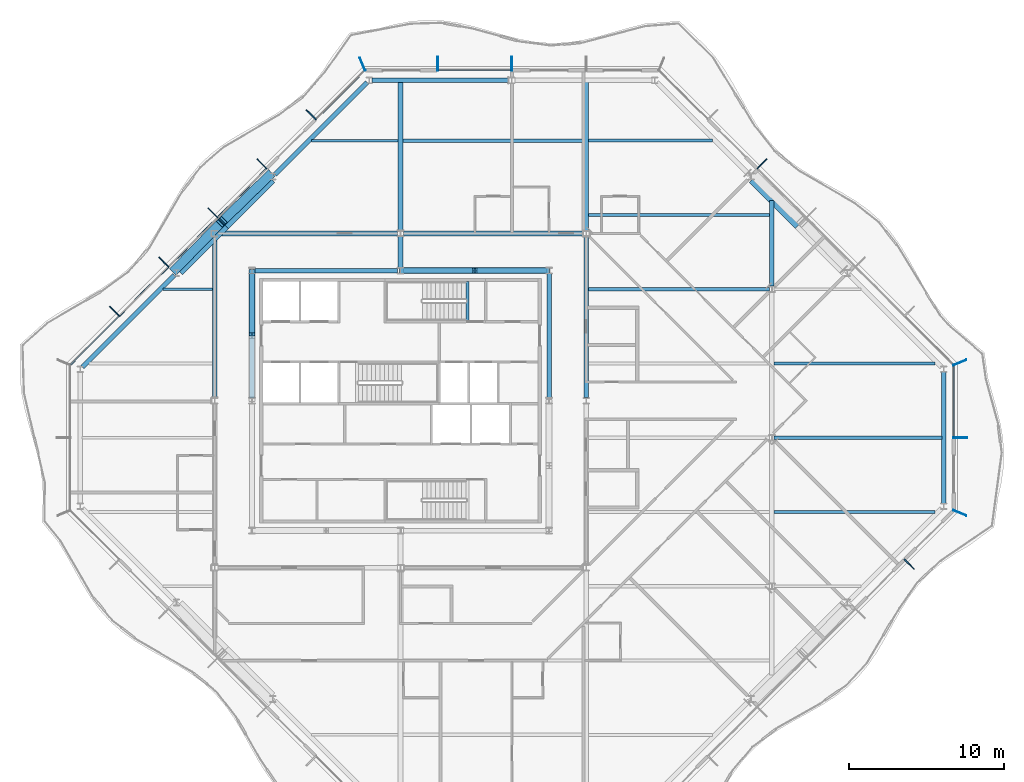
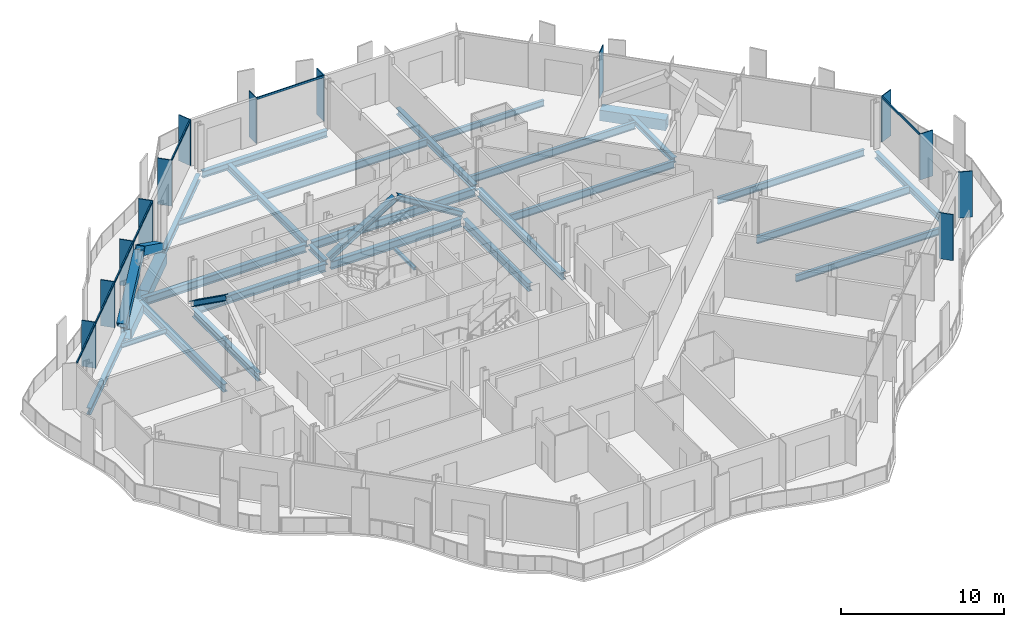
# One storey, part 4 of 17: 29 beams, 25 members, 5 elements without a shape of their own.
"""IFC4 building model written with IfcOpenShell, lengths in metres."""

from ifc_helpers import new_model, si_unit, direction, frame, origin, origin_2d, place, context, subcontext, project, spatial, rectangle, hollow_rectangle, i_section, extrude, material, material_profile, profile_set, type_object, element, aggregate, save


model = new_model("IFC4")

# Units and contexts
model_context = context("Model", 3, precision=1e-05, world=origin(), true_north=direction((0.0, 1.0)))
body_context = subcontext(model_context, "Body", "Model", "MODEL_VIEW")
ifc_project = project(units=[si_unit("LENGTHUNIT", "METRE"), si_unit("AREAUNIT", "SQUARE_METRE"), si_unit("VOLUMEUNIT", "CUBIC_METRE"), si_unit("PLANEANGLEUNIT", "RADIAN"), si_unit("MASSUNIT", "GRAM", prefix="KILO")], contexts=[model_context])

# Site, building, storey
site_placement = place(None, origin())
site = spatial("IfcSite", under=ifc_project, at=site_placement, CompositionType="ELEMENT")
building_placement = place(site_placement, origin())
building = spatial("IfcBuilding", under=site, at=building_placement, Name="Cairn Pilgrim Tower", CompositionType="ELEMENT")
storey_placement = place(building_placement, frame((0.0, 0.0, 225.0)))
storey = spatial("IfcBuildingStorey", under=building, at=storey_placement, Name="L57", CompositionType="ELEMENT", Elevation=225.0)

# Members
ifc_material_1 = material(Name="Structural steel S460M", Category="steel")
ifc_material_profile_1 = material_profile(ifc_material_1, hollow_rectangle(XDim=0.60009765625, YDim=0.60009765625, WallThickness=0.034912109375, at=origin_2d()), Name="BOX 600x600x35")
ifc_profile_set_1 = profile_set([ifc_material_profile_1], Name="Structural steel S460M")
member_type_1 = type_object("IfcMemberType", Name="BOX 600x600x35 BRACE", PredefinedType="BRACE", material=ifc_profile_set_1)
member_1_placement = place(storey_placement, frame((-1.22412109375, 17.00146484375, 0.14990234375), z_axis=(-0.609963251675, -0.594780866166, 0.523622528973), x_axis=(0.698140268834, -0.71596100804, 0.0)))
element("IfcMember", 1, at=member_1_placement, inside=storey, type_object=member_type_1, Name="XB-NW2-NW3-1", PredefinedType="BRACE", context=body_context, shape_type="SweptSolid", body=[
    extrude(hollow_rectangle(XDim=0.60009765625, YDim=0.60009765625, WallThickness=0.034912109375, at=origin_2d()), origin(), (0.0, 0.0, 1.0), 5.033203125),
])
member_2_placement = place(storey_placement, frame((-7.4013671875, 10.823974609375, 0.14990234375), z_axis=(0.59476326853, 0.609993709431, 0.523607036681), x_axis=(-0.715988756584, 0.698111810848, 0.0)))
element("IfcMember", 2, at=member_2_placement, inside=storey, type_object=member_type_1, Name="XB-NW2-NW3-2", PredefinedType="BRACE", context=body_context, shape_type="SweptSolid", body=[
    extrude(hollow_rectangle(XDim=0.60009765625, YDim=0.60009765625, WallThickness=0.034912109375, at=origin_2d()), origin(), (0.0, 0.0, 1.0), 5.033447265625),
])

# Beams
ifc_material_2 = material(Name="Structural steel S355J2", Category="steel")
ifc_material_profile_2 = material_profile(ifc_material_2, hollow_rectangle(XDim=0.699951171875, YDim=0.800048828125, WallThickness=0.0400390625, at=origin_2d()), Name="BOX 700x800x40")
ifc_profile_set_2 = profile_set([ifc_material_profile_2], Name="Structural steel S355J2")
beam_type_1 = type_object("IfcBeamType", Name="BOX 700x800x40 RING GIRDER", PredefinedType="SPANDREL", material=ifc_profile_set_2)
for number, where, z_axis, x_axis, name in (
    (3, (32.963623046875, 13.763671875, -0.550048828125), (-0.707106781187, 0.707106781187, 0.0), (-0.707106781187, -0.707106781187, 0.0), "RG3-NE2-NE3-2"),
    (4, (-1.183837890625, 16.743408203125, -0.550048828125), (-0.707106781187, -0.707106781187, 0.0), (0.707106781187, -0.707106781187, 0.0), "RG3-NW2-NW3-1"),
):
    element("IfcBeam", number, at=place(storey_placement, frame(where, z_axis=z_axis, x_axis=x_axis)), inside=storey, type_object=beam_type_1, Name=name, PredefinedType="SPANDREL", context=body_context, shape_type="SweptSolid", body=[
        extrude(hollow_rectangle(XDim=0.699951171875, YDim=0.800048828125, WallThickness=0.0400390625, at=origin_2d()), origin(), (0.0, 0.0, 1.0), 4.2138671875),
    ])
beam_1_placement = place(storey_placement, frame((-4.16357421875, 13.763671875, -0.550048828125), z_axis=(-0.707077813866, -0.707135747321, 0.0), x_axis=(0.707135747321, -0.707077813866, 0.0)))
element("IfcBeam", 5, at=beam_1_placement, inside=storey, type_object=beam_type_1, Name="RG3-NW2-NW3-2", PredefinedType="SPANDREL", context=body_context, shape_type="SweptSolid", body=[
    extrude(hollow_rectangle(XDim=0.699951171875, YDim=0.800048828125, WallThickness=0.0400390625, at=origin_2d()), origin(), (0.0, 0.0, 1.0), 4.214111328125),
])

# Curtain wall, member
ifc_material_3 = material(Name="Aluminium alloy 6063-T6 bronze anodised with Bronze tinted laminated low-E glass 8+16+8.8", Category="aluminium")
curtain_wall_type_1 = type_object("IfcCurtainWallType", Name="CHAMFER CORNER CURTAIN WALL", PredefinedType="NOTDEFINED", material=ifc_material_3)
curtain_wall_1_placement = place(storey_placement, origin())
curtain_wall_1 = element("IfcCurtainWall", 6, at=curtain_wall_1_placement, inside=storey, type_object=curtain_wall_type_1, Name="Chamfer Corner Curtain Wall SE", PredefinedType="NOTDEFINED")
ifc_material_4 = material(Name="Aluminium alloy 6063-T6 bronze anodised", Category="aluminium")
ifc_material_profile_3 = material_profile(ifc_material_4, rectangle(XDim=0.89990234375, YDim=0.06005859375, at=origin_2d()), Name="FIN MULLION 60x900 BRONZE")
ifc_profile_set_3 = profile_set([ifc_material_profile_3], Name="Aluminium alloy 6063-T6 bronze anodised")
member_type_2 = type_object("IfcMemberType", Name="FIN MULLION 60x900 BRONZE", PredefinedType="MULLION", material=ifc_profile_set_3)
member_3_placement = place(storey_placement, frame((40.0712890625, -8.1689453125, 0.0), z_axis=(0.0, 0.0, 1.0), x_axis=(0.707106781187, -0.707106781187, 0.0)))
member_3 = element("IfcMember", 7, at=member_3_placement, type_object=member_type_2, Name="Fin mullion SE6", PredefinedType="MULLION", context=body_context, shape_type="SweptSolid", body=[
    extrude(rectangle(XDim=0.89990234375, YDim=0.06005859375, at=origin_2d()), origin(), (0.0, 0.0, 1.0), 3.449951171875),
])
aggregate(curtain_wall_1, [member_3])

# Curtain wall, members
curtain_wall_type_2 = type_object("IfcCurtainWallType", Name="TOWER STICK CURTAIN WALL EW", PredefinedType="NOTDEFINED", material=ifc_material_3)
curtain_wall_2_placement = place(storey_placement, origin())
curtain_wall_2 = element("IfcCurtainWall", 8, at=curtain_wall_2_placement, inside=storey, type_object=curtain_wall_type_2, Name="Tower Stick Curtain Wall Ew E", PredefinedType="NOTDEFINED")
member_4_placement = place(storey_placement, frame((43.338134765625, -4.857177734375, 0.0), z_axis=(0.0, 0.0, 1.0), x_axis=(0.923879532511, -0.382683432365, 0.0)))
member_4 = element("IfcMember", 9, at=member_4_placement, type_object=member_type_2, Name="Fin mullion E1", PredefinedType="MULLION", context=body_context, shape_type="SweptSolid", body=[
    extrude(rectangle(XDim=0.89990234375, YDim=0.06005859375, at=origin_2d()), origin(), (0.0, 0.0, 1.0), 3.449951171875),
])
member_5_placement = place(storey_placement, frame((43.3701171875, 0.0, 0.0), z_axis=(0.0, 0.0, 1.0), x_axis=(1.0, 0.0, 0.0)))
member_5 = element("IfcMember", 10, at=member_5_placement, type_object=member_type_2, Name="Fin mullion E2", PredefinedType="MULLION", context=body_context, shape_type="SweptSolid", body=[
    extrude(rectangle(XDim=0.89990234375, YDim=0.06005859375, at=origin_2d()), origin(), (0.0, 0.0, 1.0), 3.449951171875),
])

curtain_wall_3_placement = place(storey_placement, origin())
curtain_wall_3 = element("IfcCurtainWall", 11, at=curtain_wall_3_placement, inside=storey, type_object=curtain_wall_type_1, Name="Chamfer Corner Curtain Wall NE", PredefinedType="NOTDEFINED")
member_6_placement = place(storey_placement, frame((43.338134765625, 4.857177734375, 0.0), z_axis=(0.0, 0.0, 1.0), x_axis=(0.923879532511, 0.382683432365, 0.0)))
member_6 = element("IfcMember", 12, at=member_6_placement, type_object=member_type_2, Name="Fin mullion NE1", PredefinedType="MULLION", context=body_context, shape_type="SweptSolid", body=[
    extrude(rectangle(XDim=0.89990234375, YDim=0.06005859375, at=origin_2d()), origin(), (0.0, 0.0, 1.0), 3.449951171875),
])
member_7_placement = place(storey_placement, frame((30.544677734375, 17.69580078125, 0.0), z_axis=(0.0, 0.0, 1.0), x_axis=(0.707106781187, 0.707106781187, 0.0)))
member_7 = element("IfcMember", 13, at=member_7_placement, type_object=member_type_2, Name="Fin mullion NE5", PredefinedType="MULLION", context=body_context, shape_type="SweptSolid", body=[
    extrude(rectangle(XDim=0.89990234375, YDim=0.06005859375, at=origin_2d()), origin(), (0.0, 0.0, 1.0), 3.449951171875),
])
aggregate(curtain_wall_3, [member_6, member_7])

curtain_wall_type_3 = type_object("IfcCurtainWallType", Name="TOWER STICK CURTAIN WALL NS", PredefinedType="NOTDEFINED", material=ifc_material_3)
curtain_wall_4_placement = place(storey_placement, origin())
curtain_wall_4 = element("IfcCurtainWall", 14, at=curtain_wall_4_placement, inside=storey, type_object=curtain_wall_type_3, Name="Tower Stick Curtain Wall Ns N", PredefinedType="NOTDEFINED")
member_8_placement = place(storey_placement, frame((14.39990234375, 24.169921875, 0.0), z_axis=(0.0, 0.0, 1.0), x_axis=(0.0, 1.0, 0.0)))
member_8 = element("IfcMember", 15, at=member_8_placement, type_object=member_type_2, Name="Fin mullion N3", PredefinedType="MULLION", context=body_context, shape_type="SweptSolid", body=[
    extrude(rectangle(XDim=0.89990234375, YDim=0.06005859375, at=origin_2d()), origin(), (0.0, 0.0, 1.0), 3.449951171875),
])
member_9_placement = place(storey_placement, frame((9.60009765625, 24.169921875, 0.0), z_axis=(0.0, 0.0, 1.0), x_axis=(0.0, 1.0, 0.0)))
member_9 = element("IfcMember", 16, at=member_9_placement, type_object=member_type_2, Name="Fin mullion N4", PredefinedType="MULLION", context=body_context, shape_type="SweptSolid", body=[
    extrude(rectangle(XDim=0.89990234375, YDim=0.06005859375, at=origin_2d()), origin(), (0.0, 0.0, 1.0), 3.449951171875),
])

curtain_wall_5_placement = place(storey_placement, origin())
curtain_wall_5 = element("IfcCurtainWall", 17, at=curtain_wall_5_placement, inside=storey, type_object=curtain_wall_type_1, Name="Chamfer Corner Curtain Wall NW", PredefinedType="NOTDEFINED")
member_10_placement = place(storey_placement, frame((4.742919921875, 24.137939453125, 0.0), z_axis=(0.0, 0.0, 1.0), x_axis=(-0.382683432365, 0.923879532511, 0.0)))
member_10 = element("IfcMember", 18, at=member_10_placement, type_object=member_type_2, Name="Fin mullion NW1", PredefinedType="MULLION", context=body_context, shape_type="SweptSolid", body=[
    extrude(rectangle(XDim=0.89990234375, YDim=0.06005859375, at=origin_2d()), origin(), (0.0, 0.0, 1.0), 3.449951171875),
])
member_11_placement = place(storey_placement, frame((1.430908203125, 20.871337890625, 0.0), z_axis=(0.0, 0.0, 1.0), x_axis=(-0.707106781187, 0.707106781187, 0.0)))
member_11 = element("IfcMember", 19, at=member_11_placement, type_object=member_type_2, Name="Fin mullion NW2", PredefinedType="MULLION", context=body_context, shape_type="SweptSolid", body=[
    extrude(rectangle(XDim=0.89990234375, YDim=0.06005859375, at=origin_2d()), origin(), (0.0, 0.0, 1.0), 3.449951171875),
])
member_12_placement = place(storey_placement, frame((-1.74462890625, 17.69580078125, 0.0), z_axis=(0.0, 0.0, 1.0), x_axis=(-0.707106781187, 0.707106781187, 0.0)))
member_12 = element("IfcMember", 20, at=member_12_placement, type_object=member_type_2, Name="Fin mullion NW3", PredefinedType="MULLION", context=body_context, shape_type="SweptSolid", body=[
    extrude(rectangle(XDim=0.89990234375, YDim=0.06005859375, at=origin_2d()), origin(), (0.0, 0.0, 1.0), 3.449951171875),
])
member_13_placement = place(storey_placement, frame((-4.920166015625, 14.520263671875, 0.0), z_axis=(0.0, 0.0, 1.0), x_axis=(-0.707106781187, 0.707106781187, 0.0)))
member_13 = element("IfcMember", 21, at=member_13_placement, type_object=member_type_2, Name="Fin mullion NW4", PredefinedType="MULLION", context=body_context, shape_type="SweptSolid", body=[
    extrude(rectangle(XDim=0.89990234375, YDim=0.06005859375, at=origin_2d()), origin(), (0.0, 0.0, 1.0), 3.449951171875),
])
member_14_placement = place(storey_placement, frame((-8.095703125, 11.3447265625, 0.0), z_axis=(0.0, 0.0, 1.0), x_axis=(-0.707106781187, 0.707106781187, 0.0)))
member_14 = element("IfcMember", 22, at=member_14_placement, type_object=member_type_2, Name="Fin mullion NW5", PredefinedType="MULLION", context=body_context, shape_type="SweptSolid", body=[
    extrude(rectangle(XDim=0.89990234375, YDim=0.06005859375, at=origin_2d()), origin(), (0.0, 0.0, 1.0), 3.449951171875),
])
member_15_placement = place(storey_placement, frame((-11.271484375, 8.1689453125, 0.0), z_axis=(0.0, 0.0, 1.0), x_axis=(-0.707106781187, 0.707106781187, 0.0)))
member_15 = element("IfcMember", 23, at=member_15_placement, type_object=member_type_2, Name="Fin mullion NW6", PredefinedType="MULLION", context=body_context, shape_type="SweptSolid", body=[
    extrude(rectangle(XDim=0.89990234375, YDim=0.06005859375, at=origin_2d()), origin(), (0.0, 0.0, 1.0), 3.449951171875),
])

# Members
ifc_material_profile_4 = material_profile(ifc_material_2, i_section(OverallWidth=0.39794921875, OverallDepth=0.386962890625, WebThickness=0.02099609375, FlangeThickness=0.033203125, FilletRadius=0.014892578125, at=origin_2d()), Name="HD 400x262")
ifc_profile_set_4 = profile_set([ifc_material_profile_4], Name="Structural steel S355J2")
member_type_3 = type_object("IfcMemberType", Name="HD 400x262 BRACE", PredefinedType="BRACE", material=ifc_profile_set_4)
for number, where, z_axis, x_axis, name in (
    (24, (16.759521484375, 10.800048828125, 0.10009765625), (-0.851180404412, 0.0, 0.524873241025), (0.0, -1.0, 0.0), "KB-3A"),
    (25, (7.240478515625, 10.800048828125, 0.10009765625), (0.851180404412, 0.0, 0.524873241025), (0.0, 1.0, 0.0), "KB-3B"),
):
    element("IfcMember", number, at=place(storey_placement, frame(where, z_axis=z_axis, x_axis=x_axis)), inside=storey, type_object=member_type_3, Name=name, PredefinedType="BRACE", context=body_context, shape_type="SweptSolid", body=[
        extrude(i_section(OverallWidth=0.39794921875, OverallDepth=0.386962890625, WebThickness=0.02099609375, FlangeThickness=0.033203125, FilletRadius=0.014892578125, at=origin_2d()), origin(), (0.0, 0.0, 1.0), 5.529052734375),
    ])
member_16_placement = place(storey_placement, frame((-2.39990234375, 10.759521484375, 0.10009765625), z_axis=(0.0, -0.814412678688, 0.580286126659), x_axis=(1.0, 0.0, 0.0)))
element("IfcMember", 26, at=member_16_placement, inside=storey, type_object=member_type_3, Name="KB-4A", PredefinedType="BRACE", context=body_context, shape_type="SweptSolid", body=[
    extrude(i_section(OverallWidth=0.39794921875, OverallDepth=0.386962890625, WebThickness=0.02099609375, FlangeThickness=0.033203125, FilletRadius=0.014892578125, at=origin_2d()), origin(), (0.0, 0.0, 1.0), 4.9990234375),
])

# Beams
ifc_material_profile_5 = material_profile(ifc_material_2, i_section(OverallWidth=0.300048828125, OverallDepth=0.39990234375, WebThickness=0.013427734375, FlangeThickness=0.02392578125, FilletRadius=0.027099609375, at=origin_2d()), Name="HEB 400")
ifc_profile_set_5 = profile_set([ifc_material_profile_5], Name="Structural steel S355J2")
beam_type_2 = type_object("IfcBeamType", Name="HEB 400 GIRDER", PredefinedType="BEAM", material=ifc_profile_set_5)
beam_2_placement = place(storey_placement, frame((7.199951171875, 11.001953125, -0.35009765625), z_axis=(0.0, 1.0, 0.0), x_axis=(-1.0, 0.0, 0.0)))
element("IfcBeam", 27, at=beam_2_placement, inside=storey, type_object=beam_type_2, Name="PG3-E2", PredefinedType="BEAM", context=body_context, shape_type="SweptSolid", body=[
    extrude(i_section(OverallWidth=0.300048828125, OverallDepth=0.39990234375, WebThickness=0.013427734375, FlangeThickness=0.02392578125, FilletRadius=0.027099609375, at=origin_2d()), origin(), (0.0, 0.0, 1.0), 1.99853515625),
])
beam_3_placement = place(storey_placement, frame((31.199951171875, 9.799560546875, -0.35009765625), z_axis=(0.0, 1.0, 0.0), x_axis=(-1.0, 0.0, 0.0)))
element("IfcBeam", 28, at=beam_3_placement, inside=storey, type_object=beam_type_2, Name="PG5-4", PredefinedType="BEAM", context=body_context, shape_type="SweptSolid", body=[
    extrude(i_section(OverallWidth=0.300048828125, OverallDepth=0.39990234375, WebThickness=0.013427734375, FlangeThickness=0.02392578125, FilletRadius=0.027099609375, at=origin_2d()), origin(), (0.0, 0.0, 1.0), 5.545654296875),
])
ifc_material_profile_6 = material_profile(ifc_material_2, i_section(OverallWidth=0.300048828125, OverallDepth=0.5, WebThickness=0.014404296875, FlangeThickness=0.028076171875, FilletRadius=0.027099609375, at=origin_2d()), Name="HEB 500")
ifc_profile_set_6 = profile_set([ifc_material_profile_6], Name="Structural steel S355J2")
beam_type_3 = type_object("IfcBeamType", Name="HEB 500 GIRDER", PredefinedType="BEAM", material=ifc_profile_set_6)
for number, where, z_axis, x_axis, name in (
    (29, (7.199951171875, 13.3994140625, -0.39990234375), (0.0, 1.0, 0.0), (-1.0, 0.0, 0.0), "PG3-2"),
    (30, (19.199951171875, 13.3994140625, -0.39990234375), (0.0, 1.0, 0.0), (-1.0, 0.0, 0.0), "PG4-4"),
):
    element("IfcBeam", number, at=place(storey_placement, frame(where, z_axis=z_axis, x_axis=x_axis)), inside=storey, type_object=beam_type_3, Name=name, PredefinedType="BEAM", context=body_context, shape_type="SweptSolid", body=[
        extrude(i_section(OverallWidth=0.300048828125, OverallDepth=0.5, WebThickness=0.014404296875, FlangeThickness=0.028076171875, FilletRadius=0.027099609375, at=origin_2d()), origin(), (0.0, 0.0, 1.0), 9.58056640625),
    ])
ifc_material_profile_7 = material_profile(ifc_material_2, i_section(OverallWidth=0.300048828125, OverallDepth=0.5, WebThickness=0.014404296875, FlangeThickness=0.028076171875, FilletRadius=0.027099609375, at=origin_2d()), Name="HEB 500")
ifc_profile_set_7 = profile_set([ifc_material_profile_7], Name="Structural steel S355J2")
beam_type_4 = type_object("IfcBeamType", Name="HEB 500 RING GIRDER", PredefinedType="SPANDREL", material=ifc_profile_set_7)
beam_4_placement = place(storey_placement, frame((42.300048828125, -4.239990234375, -0.39990234375), z_axis=(0.0, 1.0, 0.0), x_axis=(-1.0, 0.0, 0.0)))
element("IfcBeam", 31, at=beam_4_placement, inside=storey, type_object=beam_type_4, Name="RG3-E1-NE1", PredefinedType="SPANDREL", context=body_context, shape_type="SweptSolid", body=[
    extrude(i_section(OverallWidth=0.300048828125, OverallDepth=0.5, WebThickness=0.014404296875, FlangeThickness=0.028076171875, FilletRadius=0.027099609375, at=origin_2d()), origin(), (0.0, 0.0, 1.0), 8.47998046875),
])
beam_5_placement = place(storey_placement, frame((14.212890625, 23.10009765625, -0.39990234375), z_axis=(-1.0, 0.0, 0.0), x_axis=(0.0, -1.0, 0.0)))
element("IfcBeam", 32, at=beam_5_placement, inside=storey, type_object=beam_type_4, Name="RG3-N2-NW1", PredefinedType="SPANDREL", context=body_context, shape_type="SweptSolid", body=[
    extrude(i_section(OverallWidth=0.300048828125, OverallDepth=0.5, WebThickness=0.014404296875, FlangeThickness=0.028076171875, FilletRadius=0.027099609375, at=origin_2d()), origin(), (0.0, 0.0, 1.0), 8.852783203125),
])
for number, where, z_axis, x_axis, name in (
    (33, (5.040283203125, 22.967529296875, -0.39990234375), (-0.707106781187, -0.707106781187, 0.0), (0.707106781187, -0.707106781187, 0.0), "RG3-NW1-NW2"),
    (34, (-7.408203125, 10.51904296875, -0.39990234375), (-0.707106781187, -0.707106781187, 0.0), (0.707106781187, -0.707106781187, 0.0), "RG3-NW3-W1"),
):
    element("IfcBeam", number, at=place(storey_placement, frame(where, z_axis=z_axis, x_axis=x_axis)), inside=storey, type_object=beam_type_4, Name=name, PredefinedType="SPANDREL", context=body_context, shape_type="SweptSolid", body=[
        extrude(i_section(OverallWidth=0.300048828125, OverallDepth=0.5, WebThickness=0.014404296875, FlangeThickness=0.028076171875, FilletRadius=0.027099609375, at=origin_2d()), origin(), (0.0, 0.0, 1.0), 8.427978515625),
    ])
ifc_material_profile_8 = material_profile(ifc_material_2, i_section(OverallWidth=0.300048828125, OverallDepth=0.60009765625, WebThickness=0.015380859375, FlangeThickness=0.030029296875, FilletRadius=0.027099609375, at=origin_2d()), Name="HEB 600")
ifc_profile_set_8 = profile_set([ifc_material_profile_8], Name="Structural steel S355J2")
beam_type_5 = type_object("IfcBeamType", Name="HEB 600 CORE BEAM", PredefinedType="BEAM", material=ifc_profile_set_8)
beam_6_placement = place(storey_placement, frame((16.800048828125, 2.581787109375, -0.449951171875), z_axis=(0.0, 1.0, 0.0), x_axis=(-1.0, 0.0, 0.0)))
element("IfcBeam", 35, at=beam_6_placement, inside=storey, type_object=beam_type_5, Name="CB-4", PredefinedType="BEAM", context=body_context, shape_type="SweptSolid", body=[
    extrude(i_section(OverallWidth=0.300048828125, OverallDepth=0.60009765625, WebThickness=0.015380859375, FlangeThickness=0.030029296875, FilletRadius=0.027099609375, at=origin_2d()), origin(), (0.0, 0.0, 1.0), 8.036376953125),
])
beam_7_placement = place(storey_placement, frame((16.6181640625, 10.800048828125, -0.449951171875), z_axis=(-1.0, 0.0, 0.0), x_axis=(0.0, -1.0, 0.0)))
element("IfcBeam", 36, at=beam_7_placement, inside=storey, type_object=beam_type_5, Name="CB-5", PredefinedType="BEAM", context=body_context, shape_type="SweptSolid", body=[
    extrude(i_section(OverallWidth=0.300048828125, OverallDepth=0.60009765625, WebThickness=0.015380859375, FlangeThickness=0.030029296875, FilletRadius=0.027099609375, at=origin_2d()), origin(), (0.0, 0.0, 1.0), 9.236328125),
])
beam_8_placement = place(storey_placement, frame((7.018310546875, 10.800048828125, -0.449951171875), z_axis=(-1.0, 0.0, 0.0), x_axis=(0.0, -1.0, 0.0)))
element("IfcBeam", 37, at=beam_8_placement, inside=storey, type_object=beam_type_5, Name="CB-6", PredefinedType="BEAM", context=body_context, shape_type="SweptSolid", body=[
    extrude(i_section(OverallWidth=0.300048828125, OverallDepth=0.60009765625, WebThickness=0.015380859375, FlangeThickness=0.030029296875, FilletRadius=0.027099609375, at=origin_2d()), origin(), (0.0, 0.0, 1.0), 9.236572265625),
])
beam_9_placement = place(storey_placement, frame((-2.39990234375, 10.6181640625, -0.449951171875), z_axis=(0.0, -1.0, 0.0), x_axis=(1.0, 0.0, 0.0)))
element("IfcBeam", 38, at=beam_9_placement, inside=storey, type_object=beam_type_5, Name="CB-7", PredefinedType="BEAM", context=body_context, shape_type="SweptSolid", body=[
    extrude(i_section(OverallWidth=0.300048828125, OverallDepth=0.60009765625, WebThickness=0.015380859375, FlangeThickness=0.030029296875, FilletRadius=0.027099609375, at=origin_2d()), origin(), (0.0, 0.0, 1.0), 8.036376953125),
])
ifc_material_profile_9 = material_profile(ifc_material_2, i_section(OverallWidth=0.300048828125, OverallDepth=0.60009765625, WebThickness=0.015380859375, FlangeThickness=0.030029296875, FilletRadius=0.027099609375, at=origin_2d()), Name="HEB 600")
ifc_profile_set_9 = profile_set([ifc_material_profile_9], Name="Structural steel S355J2")
beam_type_6 = type_object("IfcBeamType", Name="HEB 600 GIRDER", PredefinedType="BEAM", material=ifc_profile_set_9)
beam_10_placement = place(storey_placement, frame((-4.800048828125, 2.599609375, -0.449951171875), z_axis=(0.0, 1.0, 0.0), x_axis=(-1.0, 0.0, 0.0)))
element("IfcBeam", 39, at=beam_10_placement, inside=storey, type_object=beam_type_6, Name="PG2-3", PredefinedType="BEAM", context=body_context, shape_type="SweptSolid", body=[
    extrude(i_section(OverallWidth=0.300048828125, OverallDepth=0.60009765625, WebThickness=0.015380859375, FlangeThickness=0.030029296875, FilletRadius=0.027099609375, at=origin_2d()), origin(), (0.0, 0.0, 1.0), 10.345458984375),
])
beam_11_placement = place(storey_placement, frame((19.199951171875, 2.599609375, -0.449951171875), z_axis=(0.0, 1.0, 0.0), x_axis=(-1.0, 0.0, 0.0)))
element("IfcBeam", 40, at=beam_11_placement, inside=storey, type_object=beam_type_6, Name="PG4-3", PredefinedType="BEAM", context=body_context, shape_type="SweptSolid", body=[
    extrude(i_section(OverallWidth=0.300048828125, OverallDepth=0.60009765625, WebThickness=0.015380859375, FlangeThickness=0.030029296875, FilletRadius=0.027099609375, at=origin_2d()), origin(), (0.0, 0.0, 1.0), 10.40087890625),
])
ifc_material_profile_10 = material_profile(ifc_material_2, i_section(OverallWidth=0.300048828125, OverallDepth=0.60009765625, WebThickness=0.015380859375, FlangeThickness=0.030029296875, FilletRadius=0.027099609375, at=origin_2d()), Name="HEB 600")
ifc_profile_set_10 = profile_set([ifc_material_profile_10], Name="Structural steel S355J2")
beam_type_7 = type_object("IfcBeamType", Name="HEB 600 INNER GIRDER", PredefinedType="BEAM", material=ifc_profile_set_10)
for number, where, z_axis, x_axis, name in (
    (41, (-4.6005859375, 13.199951171875, -0.449951171875), (1.0, 0.0, 0.0), (0.0, 1.0, 0.0), "IG2-1"),
    (42, (7.3994140625, 13.199951171875, -0.449951171875), (1.0, 0.0, 0.0), (0.0, 1.0, 0.0), "IG2-2"),
):
    element("IfcBeam", number, at=place(storey_placement, frame(where, z_axis=z_axis, x_axis=x_axis)), inside=storey, type_object=beam_type_7, Name=name, PredefinedType="BEAM", context=body_context, shape_type="SweptSolid", body=[
        extrude(i_section(OverallWidth=0.300048828125, OverallDepth=0.60009765625, WebThickness=0.015380859375, FlangeThickness=0.030029296875, FilletRadius=0.027099609375, at=origin_2d()), origin(), (0.0, 0.0, 1.0), 11.60107421875),
    ])
ifc_material_profile_11 = material_profile(ifc_material_2, i_section(OverallWidth=0.169921875, OverallDepth=0.360107421875, WebThickness=0.008056640625, FlangeThickness=0.0126953125, FilletRadius=0.01806640625, at=origin_2d()), Name="IPE 360")
ifc_profile_set_11 = profile_set([ifc_material_profile_11], Name="Structural steel S355J2")
beam_type_8 = type_object("IfcBeamType", Name="IPE 360 SECONDARY BEAM", PredefinedType="JOIST", material=ifc_profile_set_11)
beam_12_placement = place(storey_placement, frame((-8.14501953125, 9.60009765625, -0.330078125), z_axis=(1.0, 0.0, 0.0), x_axis=(0.0, 1.0, 0.0)))
element("IfcBeam", 43, at=beam_12_placement, inside=storey, type_object=beam_type_8, Name="SB7-1", PredefinedType="JOIST", context=body_context, shape_type="SweptSolid", body=[
    extrude(i_section(OverallWidth=0.169921875, OverallDepth=0.360107421875, WebThickness=0.008056640625, FlangeThickness=0.0126953125, FilletRadius=0.01806640625, at=origin_2d()), origin(), (0.0, 0.0, 1.0), 3.195068359375),
])
beam_13_placement = place(storey_placement, frame((1.454833984375, 19.199951171875, -0.330078125), z_axis=(1.0, 0.0, 0.0), x_axis=(0.0, 1.0, 0.0)))
element("IfcBeam", 44, at=beam_13_placement, inside=storey, type_object=beam_type_8, Name="SB9-1", PredefinedType="JOIST", context=body_context, shape_type="SweptSolid", body=[
    extrude(i_section(OverallWidth=0.169921875, OverallDepth=0.360107421875, WebThickness=0.008056640625, FlangeThickness=0.0126953125, FilletRadius=0.01806640625, at=origin_2d()), origin(), (0.0, 0.0, 1.0), 5.59521484375),
])
ifc_material_profile_12 = material_profile(ifc_material_2, i_section(OverallWidth=0.18994140625, OverallDepth=0.449951171875, WebThickness=0.009521484375, FlangeThickness=0.0146484375, FilletRadius=0.02099609375, at=origin_2d()), Name="IPE 450")
ifc_profile_set_12 = profile_set([ifc_material_profile_12], Name="Structural steel S355J2")
beam_type_9 = type_object("IfcBeamType", Name="IPE 450 SECONDARY BEAM", PredefinedType="JOIST", material=ifc_profile_set_12)
beam_14_placement = place(storey_placement, frame((19.35009765625, 19.199951171875, -0.375), z_axis=(1.0, 0.0, 0.0), x_axis=(0.0, 1.0, 0.0)))
element("IfcBeam", 45, at=beam_14_placement, inside=storey, type_object=beam_type_9, Name="SB9-3", PredefinedType="JOIST", context=body_context, shape_type="SweptSolid", body=[
    extrude(i_section(OverallWidth=0.18994140625, OverallDepth=0.449951171875, WebThickness=0.009521484375, FlangeThickness=0.0146484375, FilletRadius=0.02099609375, at=origin_2d()), origin(), (0.0, 0.0, 1.0), 7.9951171875),
])
ifc_material_profile_13 = material_profile(ifc_material_2, i_section(OverallWidth=0.199951171875, OverallDepth=0.5, WebThickness=0.01025390625, FlangeThickness=0.01611328125, FilletRadius=0.02099609375, at=origin_2d()), Name="IPE 500")
ifc_profile_set_13 = profile_set([ifc_material_profile_13], Name="Structural steel S355J2")
beam_type_10 = type_object("IfcBeamType", Name="IPE 500 SECONDARY BEAM", PredefinedType="JOIST", material=ifc_profile_set_13)
for number, where, z_axis, x_axis, name in (
    (46, (31.35009765625, -4.800048828125, -0.39990234375), (1.0, 0.0, 0.0), (0.0, 1.0, 0.0), "SB4-3"),
    (47, (31.35009765625, 4.800048828125, -0.39990234375), (1.0, 0.0, 0.0), (0.0, 1.0, 0.0), "SB6-3"),
):
    element("IfcBeam", number, at=place(storey_placement, frame(where, z_axis=z_axis, x_axis=x_axis)), inside=storey, type_object=beam_type_10, Name=name, PredefinedType="JOIST", context=body_context, shape_type="SweptSolid", body=[
        extrude(i_section(OverallWidth=0.199951171875, OverallDepth=0.5, WebThickness=0.01025390625, FlangeThickness=0.01611328125, FilletRadius=0.02099609375, at=origin_2d()), origin(), (0.0, 0.0, 1.0), 10.39501953125),
    ])
ifc_material_profile_14 = material_profile(ifc_material_2, i_section(OverallWidth=0.2099609375, OverallDepth=0.550048828125, WebThickness=0.010986328125, FlangeThickness=0.01708984375, FilletRadius=0.02392578125, at=origin_2d()), Name="IPE 550")
ifc_profile_set_14 = profile_set([ifc_material_profile_14], Name="Structural steel S355J2")
beam_type_11 = type_object("IfcBeamType", Name="IPE 550 SECONDARY BEAM", PredefinedType="JOIST", material=ifc_profile_set_14)
beam_15_placement = place(storey_placement, frame((31.35009765625, 0.0, -0.425048828125), z_axis=(1.0, 0.0, 0.0), x_axis=(0.0, 1.0, 0.0)))
element("IfcBeam", 48, at=beam_15_placement, inside=storey, type_object=beam_type_11, Name="SB5-3", PredefinedType="JOIST", context=body_context, shape_type="SweptSolid", body=[
    extrude(i_section(OverallWidth=0.2099609375, OverallDepth=0.550048828125, WebThickness=0.010986328125, FlangeThickness=0.01708984375, FilletRadius=0.02392578125, at=origin_2d()), origin(), (0.0, 0.0, 1.0), 10.829833984375),
])
for number, where, z_axis, x_axis, name in (
    (49, (19.35009765625, 9.60009765625, -0.425048828125), (1.0, 0.0, 0.0), (0.0, 1.0, 0.0), "SB7-2"),
    (50, (19.35009765625, 14.39990234375, -0.425048828125), (1.0, 0.0, 0.0), (0.0, 1.0, 0.0), "SB8-1"),
    (51, (7.35009765625, 19.199951171875, -0.425048828125), (1.0, 0.0, 0.0), (0.0, 1.0, 0.0), "SB9-2"),
):
    element("IfcBeam", number, at=place(storey_placement, frame(where, z_axis=z_axis, x_axis=x_axis)), inside=storey, type_object=beam_type_11, Name=name, PredefinedType="JOIST", context=body_context, shape_type="SweptSolid", body=[
        extrude(i_section(OverallWidth=0.2099609375, OverallDepth=0.550048828125, WebThickness=0.010986328125, FlangeThickness=0.01708984375, FilletRadius=0.02392578125, at=origin_2d()), origin(), (0.0, 0.0, 1.0), 11.699951171875),
    ])
ifc_material_profile_15 = material_profile(ifc_material_2, i_section(OverallWidth=0.199951171875, OverallDepth=0.199951171875, WebThickness=0.009033203125, FlangeThickness=0.014892578125, FilletRadius=0.01806640625, at=origin_2d()), Name="HE 200 B")
ifc_profile_set_15 = profile_set([ifc_material_profile_15], Name="Structural steel S355J2")
beam_type_12 = type_object("IfcBeamType", Name="STAIR LANDING BEAM HE 200 B", PredefinedType="BEAM", material=ifc_profile_set_15)
beam_16_placement = place(storey_placement, frame((11.5244140625, 10.10009765625, -0.25), z_axis=(0.0, -1.0, 0.0), x_axis=(1.0, 0.0, 0.0)))
element("IfcBeam", 52, at=beam_16_placement, inside=storey, type_object=beam_type_12, Name="STAIR LANDING BEAM LD-HE200B", PredefinedType="BEAM", context=body_context, shape_type="SweptSolid", body=[
    extrude(i_section(OverallWidth=0.199951171875, OverallDepth=0.199951171875, WebThickness=0.009033203125, FlangeThickness=0.014892578125, FilletRadius=0.01806640625, at=origin_2d()), origin(), (0.0, 0.0, 1.0), 2.525146484375),
])

# Member
ifc_material_profile_16 = material_profile(ifc_material_4, rectangle(XDim=0.080078125, YDim=0.14990234375, at=origin_2d()), Name="TRANSOM 80x150 BRONZE")
ifc_profile_set_16 = profile_set([ifc_material_profile_16], Name="Aluminium alloy 6063-T6 bronze anodised")
member_type_4 = type_object("IfcMemberType", Name="TRANSOM 80x150 BRONZE", PredefinedType="USERDEFINED", material=ifc_profile_set_16)
member_17_placement = place(storey_placement, frame((42.949951171875, 0.030029296875, 3.375), z_axis=(0.0, 1.0, 0.0), x_axis=(-1.0, 0.0, 0.0)))
member_17 = element("IfcMember", 53, at=member_17_placement, type_object=member_type_4, Name="Transom E2", ObjectType="TRANSOM", PredefinedType="USERDEFINED", context=body_context, shape_type="SweptSolid", body=[
    extrude(rectangle(XDim=0.080078125, YDim=0.14990234375, at=origin_2d()), origin(), (0.0, 0.0, 1.0), 4.62646484375),
])

aggregate(curtain_wall_2, [member_4, member_5, member_17])

member_18_placement = place(storey_placement, frame((14.3701171875, 23.75, 3.375), z_axis=(-1.0, 0.0, 0.0), x_axis=(0.0, -1.0, 0.0)))
member_18 = element("IfcMember", 54, at=member_18_placement, type_object=member_type_4, Name="Transom N3", ObjectType="TRANSOM", PredefinedType="USERDEFINED", context=body_context, shape_type="SweptSolid", body=[
    extrude(rectangle(XDim=0.080078125, YDim=0.14990234375, at=origin_2d()), origin(), (0.0, 0.0, 1.0), 4.740234375),
])

aggregate(curtain_wall_4, [member_8, member_9, member_18])

member_19_placement = place(storey_placement, frame((4.875244140625, 23.7216796875, 3.375), z_axis=(-0.707106781187, -0.707106781187, 0.0), x_axis=(0.707106781187, -0.707106781187, 0.0)))
member_19 = element("IfcMember", 55, at=member_19_placement, type_object=member_type_4, Name="Transom NW1", ObjectType="TRANSOM", PredefinedType="USERDEFINED", context=body_context, shape_type="SweptSolid", body=[
    extrude(rectangle(XDim=0.080078125, YDim=0.14990234375, at=origin_2d()), origin(), (0.0, 0.0, 1.0), 4.4208984375),
])

member_20_placement = place(storey_placement, frame((-1.46875, 17.377685546875, 3.375), z_axis=(-0.707106781187, -0.707106781187, 0.0), x_axis=(0.707106781187, -0.707106781187, 0.0)))
member_20 = element("IfcMember", 56, at=member_20_placement, type_object=member_type_4, Name="Transom NW3", ObjectType="TRANSOM", PredefinedType="USERDEFINED", context=body_context, shape_type="SweptSolid", body=[
    extrude(rectangle(XDim=0.080078125, YDim=0.14990234375, at=origin_2d()), origin(), (0.0, 0.0, 1.0), 4.43115234375),
])

member_21_placement = place(storey_placement, frame((-4.64453125, 14.201904296875, 3.375), z_axis=(-0.707106781187, -0.707106781187, 0.0), x_axis=(0.707106781187, -0.707106781187, 0.0)))
member_21 = element("IfcMember", 57, at=member_21_placement, type_object=member_type_4, Name="Transom NW4", ObjectType="TRANSOM", PredefinedType="USERDEFINED", context=body_context, shape_type="SweptSolid", body=[
    extrude(rectangle(XDim=0.080078125, YDim=0.14990234375, at=origin_2d()), origin(), (0.0, 0.0, 1.0), 4.430908203125),
])

member_22_placement = place(storey_placement, frame((-7.820068359375, 11.0263671875, 3.375), z_axis=(-0.707106781187, -0.707106781187, 0.0), x_axis=(0.707106781187, -0.707106781187, 0.0)))
member_22 = element("IfcMember", 58, at=member_22_placement, type_object=member_type_4, Name="Transom NW5", ObjectType="TRANSOM", PredefinedType="USERDEFINED", context=body_context, shape_type="SweptSolid", body=[
    extrude(rectangle(XDim=0.080078125, YDim=0.14990234375, at=origin_2d()), origin(), (0.0, 0.0, 1.0), 4.430908203125),
])

member_23_placement = place(storey_placement, frame((-10.99560546875, 7.850830078125, 3.375), z_axis=(-0.707106781187, -0.707106781187, 0.0), x_axis=(0.707106781187, -0.707106781187, 0.0)))
member_23 = element("IfcMember", 59, at=member_23_placement, type_object=member_type_4, Name="Transom NW6", ObjectType="TRANSOM", PredefinedType="USERDEFINED", context=body_context, shape_type="SweptSolid", body=[
    extrude(rectangle(XDim=0.080078125, YDim=0.14990234375, at=origin_2d()), origin(), (0.0, 0.0, 1.0), 4.421142578125),
])

aggregate(curtain_wall_5, [member_10, member_11, member_12, member_13, member_14, member_15, member_19, member_20, member_21, member_22, member_23])

save(model, "model.ifc")
